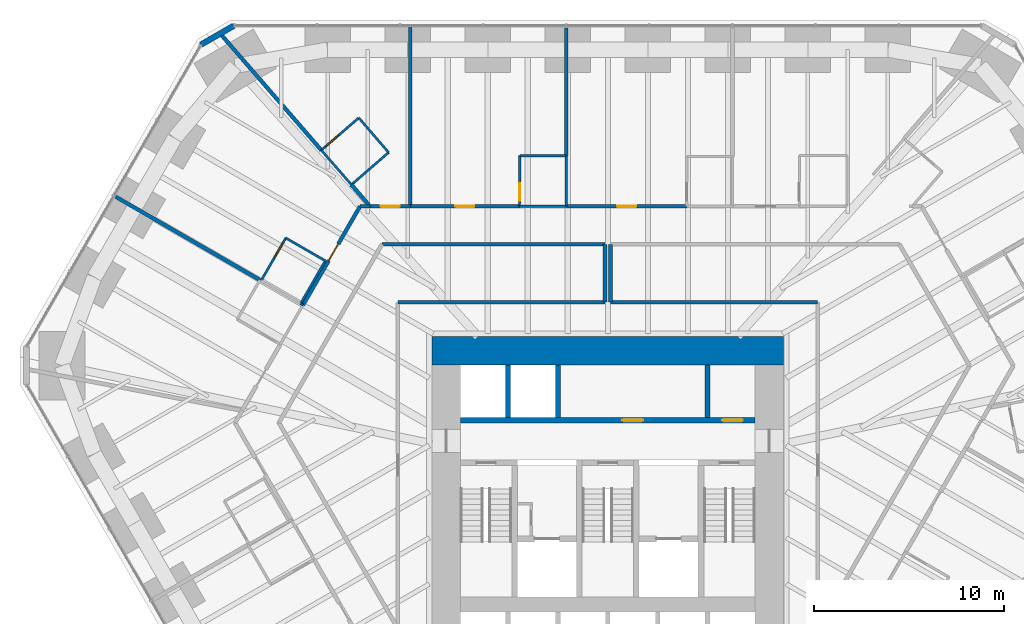
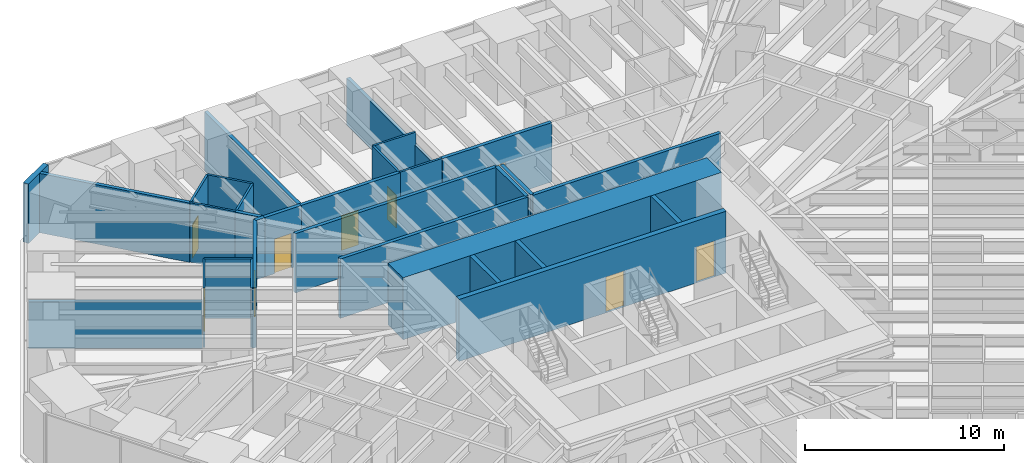
# One storey, part 14 of 17: 33 walls, 9 doors, 9 openings.
"""IFC4 building model written with IfcOpenShell, lengths in metres."""

import ifcopenshell
import ifcopenshell.guid

model = None  # the IFC model being written
_history = None  # IfcOwnerHistory: only IFC2X3 demands one
_inside = {}  # id of a spatial element -> (the spatial element, [elements in it])
_under = {}  # id of a project, library or spatial element -> (it, [spatial elements below it])
_declared = {}  # id of a project -> (the project, [libraries it declares])
_typed = {}  # id of a type object -> (the type object, [elements of that type])
_made_of = {}  # id of a material, layer set ... -> (it, [elements and type objects made of it])


def new_model(schema):
    """Start an empty IFC model of exactly this schema.

    Asked for "IFC4X3", IfcOpenShell would pick the latest addendum, in which some entities
    have other attributes; the version numbers below select the first issue.
    IFC2X3 requires an IfcOwnerHistory on every rooted entity: one is made here for all.
    """
    global model, _history
    if schema == "IFC4X3":
        model = ifcopenshell.file(schema_version=(4, 3, 0, 0))
    else:
        model = ifcopenshell.file(schema=schema)
    _inside.clear()
    _under.clear()
    _declared.clear()
    _typed.clear()
    _made_of.clear()
    _history = None
    if model.schema == "IFC2X3":
        org = make("IfcOrganization", Name="unknown")
        user = make(
            "IfcPersonAndOrganization",
            ThePerson=make("IfcPerson", FamilyName="unknown"),
            TheOrganization=org,
        )
        app = make(
            "IfcApplication",
            ApplicationDeveloper=org,
            Version="unknown",
            ApplicationFullName="unknown",
            ApplicationIdentifier="unknown",
        )
        _history = make(
            "IfcOwnerHistory",
            OwningUser=user,
            OwningApplication=app,
            ChangeAction="ADDED",
            CreationDate=0,
        )
    return model


def make(cls, **values):
    """One entity of the class cls with the attributes given. An attribute that is None is left unset."""
    return model.create_entity(
        cls, **{name: value for name, value in values.items() if value is not None}
    )


def rooted(cls, **values):
    """An entity with a GlobalId (a new one), such as an element, a storey or a relation."""
    return make(cls, GlobalId=ifcopenshell.guid.new(), OwnerHistory=_history, **values)


def si_unit(unit_type, name, prefix=None):
    """IfcSIUnit, for example si_unit("LENGTHUNIT", "METRE", prefix="MILLI")."""
    return make("IfcSIUnit", UnitType=unit_type, Prefix=prefix, Name=name)


def assignment(units):
    """IfcUnitAssignment: the units of a project."""
    return None if units is None else make("IfcUnitAssignment", Units=units)


def point(xyz):
    """IfcCartesianPoint."""
    return None if xyz is None else make("IfcCartesianPoint", Coordinates=xyz)


def direction(xyz):
    """IfcDirection."""
    return None if xyz is None else make("IfcDirection", DirectionRatios=xyz)


def frame(location, z_axis=None, x_axis=None):
    """IfcAxis2Placement3D, a coordinate frame: its origin and axes. An axis left out is left unset."""
    return make(
        "IfcAxis2Placement3D",
        Location=point(location),
        Axis=direction(z_axis),
        RefDirection=direction(x_axis),
    )


def frame_2d(location, x_axis=None):
    """IfcAxis2Placement2D, a coordinate frame in the plane: its origin and x axis."""
    return make(
        "IfcAxis2Placement2D", Location=point(location), RefDirection=direction(x_axis)
    )


def origin():
    """The frame at (0, 0, 0) with its axes left unset."""
    return frame((0.0, 0.0, 0.0))


def place(relative_to, where):
    """IfcLocalPlacement: puts the frame where relative to a parent placement (None: the world)."""
    return make(
        "IfcLocalPlacement", PlacementRelTo=relative_to, RelativePlacement=where
    )


def context(
    kind, dimensions, precision=None, world=None, true_north=None, identifier=None
):
    """IfcGeometricRepresentationContext, for example the 3D "Model" context."""
    return make(
        "IfcGeometricRepresentationContext",
        ContextIdentifier=identifier,
        ContextType=kind,
        CoordinateSpaceDimension=dimensions,
        Precision=precision,
        WorldCoordinateSystem=world,
        TrueNorth=true_north,
    )


def subcontext(parent, identifier, kind, view, scale=None):
    """IfcGeometricRepresentationSubContext, for example "Body" below "Model"."""
    return make(
        "IfcGeometricRepresentationSubContext",
        ContextIdentifier=identifier,
        ContextType=kind,
        ParentContext=parent,
        TargetScale=scale,
        TargetView=view,
    )


def project(units=None, contexts=None):
    """IfcProject with its units and contexts."""
    return rooted(
        "IfcProject",
        Name="project",
        RepresentationContexts=contexts,
        UnitsInContext=assignment(units),
    )


def spatial(cls, under=None, at=None, **own):
    """A site, building, storey or space (cls), placed at a placement, below another one or the project."""
    s = rooted(cls, ObjectPlacement=at, **own)
    if under is not None:
        _under.setdefault(under.id(), (under, []))[1].append(s)
    return s


def profile(cls, at=None, kind="AREA", **sizes):
    """A parametric profile (cls). Its sizes go by their IFC names, for example OverallWidth=200.0."""
    return make(cls, ProfileType=kind, Position=at, **sizes)


def rectangle(**sizes):
    """IfcRectangleProfileDef."""
    return profile("IfcRectangleProfileDef", **sizes)


def extrude(swept, where, along, depth):
    """IfcExtrudedAreaSolid: the profile swept, set in the frame where, extruded along a direction by depth."""
    return make(
        "IfcExtrudedAreaSolid",
        SweptArea=swept,
        Position=where,
        ExtrudedDirection=direction(along),
        Depth=depth,
    )


def shape(context_of_items, identifier, shape_type, items):
    """IfcShapeRepresentation: the items that make up one representation, for example the "Body"."""
    return make(
        "IfcShapeRepresentation",
        ContextOfItems=context_of_items,
        RepresentationIdentifier=identifier,
        RepresentationType=shape_type,
        Items=items,
    )


def material(Name=None, Category=None):
    """IfcMaterial."""
    return make("IfcMaterial", Name=Name, Category=Category)


def layer(
    of_material, thickness, ventilated=None, Name=None, Category=None, Priority=None
):
    """IfcMaterialLayer: one layer of a wall or slab, of a material (None: an air gap)."""
    return make(
        "IfcMaterialLayer",
        Material=of_material,
        LayerThickness=thickness,
        IsVentilated=ventilated,
        Name=Name,
        Category=Category,
        Priority=Priority,
    )


def layer_set(layers, Name=None):
    """IfcMaterialLayerSet."""
    return make("IfcMaterialLayerSet", MaterialLayers=layers, LayerSetName=Name)


def made_of(thing, what):
    """Note that an element or type object is made of a material, layer set ...; save() writes the relation."""
    if what is not None:
        _made_of.setdefault(what.id(), (what, []))[1].append(thing)
    return thing


def type_object(cls, material=None, **own):
    """A type object (cls), such as IfcWallType, which elements share."""
    return made_of(rooted(cls, **own), material)


def element(
    cls,
    number,
    at=None,
    inside=None,
    cuts=None,
    type_object=None,
    material=None,
    context=None,
    identifier="Body",
    shape_type=None,
    held_by="IfcProductDefinitionShape",
    body=None,
    shapes=None,
    **own,
):
    """One element of the class cls, such as IfcWall. Its Tag is "e" and its number.

    at: its placement. inside: the storey or other place that contains it. cuts: it is an
    opening in that element (IfcRelVoidsElement). A single representation is given by context,
    identifier, shape_type and body (its items); several are given by shapes. held_by: the class
    of the entity that holds the representations. save() writes the other relations.
    """
    e = rooted(cls, Tag="e%d" % number, ObjectPlacement=at, **own)
    if body is not None:
        shapes = [shape(context, identifier, shape_type, body)]
    if shapes is not None:
        e.Representation = make(held_by, Representations=shapes)
    if inside is not None:
        _inside.setdefault(inside.id(), (inside, []))[1].append(e)
    if cuts is not None:
        rooted(
            "IfcRelVoidsElement", RelatingBuildingElement=cuts, RelatedOpeningElement=e
        )
    if type_object is not None:
        _typed.setdefault(type_object.id(), (type_object, []))[1].append(e)
    return made_of(e, material)


def fill(opening, filler):
    """IfcRelFillsElement: the door or window that sits in an opening."""
    return rooted(
        "IfcRelFillsElement",
        RelatingOpeningElement=opening,
        RelatedBuildingElement=filler,
    )


def aggregate(whole, parts):
    """IfcRelAggregates: a whole, such as a stair, and the parts it consists of."""
    return rooted("IfcRelAggregates", RelatingObject=whole, RelatedObjects=parts)


def save(model, path):
    """Write the relations noted so far, then the file.

    IfcRelAggregates (storeys below a building ...), IfcRelContainedInSpatialStructure (elements
    in a storey), IfcRelDefinesByType, IfcRelAssociatesMaterial and IfcRelDeclares: one each for
    every whole, place, type object, material and project.
    """
    for whole, parts in _under.values():
        aggregate(whole, parts)
    for where, things in _inside.values():
        rooted(
            "IfcRelContainedInSpatialStructure",
            RelatedElements=things,
            RelatingStructure=where,
        )
    for kind, things in _typed.values():
        rooted("IfcRelDefinesByType", RelatedObjects=things, RelatingType=kind)
    for what, things in _made_of.values():
        rooted("IfcRelAssociatesMaterial", RelatedObjects=things, RelatingMaterial=what)
    for by, libraries in _declared.values():
        rooted("IfcRelDeclares", RelatingContext=by, RelatedDefinitions=libraries)
    model.write(path)


model = new_model("IFC4")

# Units and contexts
model_context = context("Model", 3, precision=1e-05, world=origin(), true_north=direction((0.0, 1.0)))
body_context = subcontext(model_context, "Body", "Model", "MODEL_VIEW")
ifc_project = project(units=[si_unit("LENGTHUNIT", "METRE"), si_unit("AREAUNIT", "SQUARE_METRE"), si_unit("VOLUMEUNIT", "CUBIC_METRE"), si_unit("PLANEANGLEUNIT", "RADIAN"), si_unit("MASSUNIT", "GRAM", prefix="KILO")], contexts=[model_context])

# Site, building, storey
site_placement = place(None, origin())
site = spatial("IfcSite", under=ifc_project, at=site_placement, CompositionType="ELEMENT")
building_placement = place(site_placement, origin())
building = spatial("IfcBuilding", under=site, at=building_placement, Name="Sandreach Pilgrim Tower", CompositionType="ELEMENT")
storey_placement = place(building_placement, frame((0.0, 0.0, 34.39990234375)))
storey = spatial("IfcBuildingStorey", under=building, at=storey_placement, Name="L07", CompositionType="ELEMENT", Elevation=34.39990234375)

# Wall, opening, door
ifc_material_1 = material(Name="Moisture-resistant gypsum board on steel studs", Category="steel")
ifc_layer_1 = layer(ifc_material_1, 0.1201171875)
ifc_layer_set_1 = layer_set([ifc_layer_1], Name="Bathroom partition 120")
wall_type_1 = type_object("IfcWallType", Name="Bathroom partition 120", PredefinedType="PARTITIONING", material=ifc_layer_set_1)
wall_1_placement = place(storey_placement, frame((-16.93994140625, 12.780029296875, 0.0), z_axis=(0.0, 0.0, 1.0), x_axis=(-0.500291685314, -0.865856933682, 0.0)))
wall_1 = element("IfcWall", 1, at=wall_1_placement, inside=storey, type_object=wall_type_1, Name="Bathroom partition L07-019", PredefinedType="PARTITIONING", context=body_context, shape_type="SweptSolid", body=[
    extrude(rectangle(XDim=2.5986328125, YDim=0.1201171875, at=frame_2d((1.29931640625, 0.0))), origin(), (0.0, 0.0, 1.0), 3.64013671875),
])
opening_1_placement = place(wall_1_placement, frame((0.300048828125, 0.0, 0.0)))
opening_1 = element("IfcOpeningElement", 2, at=opening_1_placement, cuts=wall_1, Name="Opening D09-19B", PredefinedType="OPENING", context=body_context, shape_type="SweptSolid", body=[
    extrude(rectangle(XDim=0.89990234375, YDim=2.030029296875, at=frame_2d((0.449951171875, 1.01513671875))), frame((0.0, 0.06005859375, 0.0), z_axis=(0.0, -1.0, 0.0), x_axis=(1.0, 0.0, 0.0)), (0.0, 0.0, 1.0), 0.1201171875),
])
ifc_material_2 = material(Name="Timber door, steel frame", Category="steel")
door_type_1 = type_object("IfcDoorType", Name="Bathroom door", OperationType="SINGLE_SWING_LEFT", PredefinedType="DOOR", material=ifc_material_2)
door_1_placement = place(opening_1_placement, origin())
door_1 = element("IfcDoor", 3, at=door_1_placement, inside=storey, type_object=door_type_1, Name="Door 0719B", OperationType="SINGLE_SWING_LEFT", OverallHeight=2.030029296875, OverallWidth=0.89990234375, PredefinedType="DOOR", context=body_context, shape_type="SweptSolid", body=[
    extrude(rectangle(XDim=0.89990234375, YDim=2.030029296875, at=frame_2d((0.449951171875, 1.01513671875))), frame((0.0, 0.02490234375, 0.0), z_axis=(0.0, -1.0, 0.0), x_axis=(1.0, 0.0, 0.0)), (0.0, 0.0, 1.0), 0.050048828125),
])
fill(opening_1, door_1)

# Walls
wall_2_placement = place(storey_placement, frame((-16.159912109375, 9.330078125, 0.0), z_axis=(0.0, 0.0, 1.0), x_axis=(0.880098986228, -0.47479024257, 0.0)))
element("IfcWall", 4, at=wall_2_placement, inside=storey, type_object=wall_type_1, Name="Bathroom partition L07-023", PredefinedType="PARTITIONING", context=body_context, shape_type="SweptSolid", body=[
    extrude(rectangle(XDim=0.1474609375, YDim=0.1201171875, at=frame_2d((0.07373046875, 0.0))), origin(), (0.0, 0.0, 1.0), 3.64013671875),
])
wall_3_placement = place(storey_placement, frame((-16.159912109375, 9.330078125, 0.0), z_axis=(0.0, 0.0, 1.0), x_axis=(0.500291685314, 0.865856933682, 0.0)))
element("IfcWall", 5, at=wall_3_placement, inside=storey, type_object=wall_type_1, Name="Bathroom partition L07-024", PredefinedType="PARTITIONING", context=body_context, shape_type="SweptSolid", body=[
    extrude(rectangle(XDim=2.5986328125, YDim=0.1201171875, at=frame_2d((1.29931640625, 0.0))), origin(), (0.0, 0.0, 1.0), 3.64013671875),
])
wall_4_placement = place(storey_placement, frame((-15.070068359375, 17.39990234375, 0.0), z_axis=(0.0, 0.0, 1.0), x_axis=(0.657083550002, -0.753817755374, 0.0)))
element("IfcWall", 6, at=wall_4_placement, inside=storey, type_object=wall_type_1, Name="Bathroom partition L07-028", PredefinedType="PARTITIONING", context=body_context, shape_type="SweptSolid", body=[
    extrude(rectangle(XDim=2.41015625, YDim=0.1201171875, at=frame_2d((1.205078125, 0.0))), origin(), (0.0, 0.0, 1.0), 3.64013671875),
])
wall_5_placement = place(storey_placement, frame((-14.860107421875, 11.580078125, 0.0), z_axis=(0.0, 0.0, 1.0), x_axis=(-0.866177122335, 0.499737123639, 0.0)))
element("IfcWall", 7, at=wall_5_placement, inside=storey, type_object=wall_type_1, Name="Bathroom partition L07-029", PredefinedType="PARTITIONING", context=body_context, shape_type="SweptSolid", body=[
    extrude(rectangle(XDim=2.401123046875, YDim=0.1201171875, at=frame_2d((1.20068359375, 0.0))), origin(), (0.0, 0.0, 1.0), 3.64013671875),
])
wall_6_placement = place(storey_placement, frame((-13.489990234375, 15.580078125, 0.0), z_axis=(0.0, 0.0, 1.0), x_axis=(0.755437535555, 0.655220672655, 0.0)))
element("IfcWall", 8, at=wall_6_placement, inside=storey, type_object=wall_type_1, Name="Bathroom partition L07-030", PredefinedType="PARTITIONING", context=body_context, shape_type="SweptSolid", body=[
    extrude(rectangle(XDim=2.594482421875, YDim=0.1201171875, at=frame_2d((1.29736328125, 0.0))), origin(), (0.0, 0.0, 1.0), 3.64013671875),
])

# Wall, opening, door
wall_7_placement = place(storey_placement, frame((-13.10009765625, 19.10009765625, 0.0), z_axis=(0.0, 0.0, 1.0), x_axis=(-0.757040252764, -0.65336823897, 0.0)))
wall_7 = element("IfcWall", 9, at=wall_7_placement, inside=storey, type_object=wall_type_1, Name="Bathroom partition L07-032", PredefinedType="PARTITIONING", context=body_context, shape_type="SweptSolid", body=[
    extrude(rectangle(XDim=2.602294921875, YDim=0.1201171875, at=frame_2d((1.30126953125, 0.0))), origin(), (0.0, 0.0, 1.0), 3.64013671875),
])
opening_2_placement = place(wall_7_placement, frame((1.402099609375, 0.0, 0.0)))
opening_2 = element("IfcOpeningElement", 10, at=opening_2_placement, cuts=wall_7, Name="Opening D09-01B", PredefinedType="OPENING", context=body_context, shape_type="SweptSolid", body=[
    extrude(rectangle(XDim=0.89990234375, YDim=2.030029296875, at=frame_2d((0.449951171875, 1.01513671875))), frame((0.0, 0.06005859375, 0.0), z_axis=(0.0, -1.0, 0.0), x_axis=(1.0, 0.0, 0.0)), (0.0, 0.0, 1.0), 0.1201171875),
])
door_2_placement = place(opening_2_placement, origin())
door_2 = element("IfcDoor", 11, at=door_2_placement, inside=storey, type_object=door_type_1, Name="Door 0701B", OperationType="SINGLE_SWING_RIGHT", OverallHeight=2.030029296875, OverallWidth=0.89990234375, PredefinedType="DOOR", context=body_context, shape_type="SweptSolid", body=[
    extrude(rectangle(XDim=0.89990234375, YDim=2.030029296875, at=frame_2d((0.449951171875, 1.01513671875))), frame((0.0, 0.02490234375, 0.0), z_axis=(0.0, -1.0, 0.0), x_axis=(1.0, 0.0, 0.0)), (0.0, 0.0, 1.0), 0.050048828125),
])
fill(opening_2, door_2)

# Wall
wall_8_placement = place(storey_placement, frame((-11.530029296875, 17.280029296875, 0.0), z_axis=(0.0, 0.0, 1.0), x_axis=(-0.653188728136, 0.757195143563, 0.0)))
element("IfcWall", 12, at=wall_8_placement, inside=storey, type_object=wall_type_1, Name="Bathroom partition L07-036", PredefinedType="PARTITIONING", context=body_context, shape_type="SweptSolid", body=[
    extrude(rectangle(XDim=2.40380859375, YDim=0.1201171875, at=frame_2d((1.201904296875, 0.0))), origin(), (0.0, 0.0, 1.0), 3.64013671875),
])

# Wall, opening, door
wall_9_placement = place(storey_placement, frame((-4.6298828125, 17.110107421875, 0.0), z_axis=(0.0, 0.0, 1.0), x_axis=(-0.003762822113, -0.99999292056, 0.0)))
wall_9 = element("IfcWall", 13, at=wall_9_placement, inside=storey, type_object=wall_type_1, Name="Bathroom partition L07-051", PredefinedType="PARTITIONING", context=body_context, shape_type="SweptSolid", body=[
    extrude(rectangle(XDim=2.66015625, YDim=0.1201171875, at=frame_2d((1.330078125, 0.0))), origin(), (0.0, 0.0, 1.0), 3.64013671875),
])
opening_3_placement = place(wall_9_placement, frame((1.4599609375, 0.0, 0.0)))
opening_3 = element("IfcOpeningElement", 14, at=opening_3_placement, cuts=wall_9, Name="Opening D09-02B", PredefinedType="OPENING", context=body_context, shape_type="SweptSolid", body=[
    extrude(rectangle(XDim=0.89990234375, YDim=2.030029296875, at=frame_2d((0.449951171875, 1.01513671875))), frame((0.0, 0.06005859375, 0.0), z_axis=(0.0, -1.0, 0.0), x_axis=(1.0, 0.0, 0.0)), (0.0, 0.0, 1.0), 0.1201171875),
])
door_3_placement = place(opening_3_placement, origin())
door_3 = element("IfcDoor", 15, at=door_3_placement, inside=storey, type_object=door_type_1, Name="Door 0702B", OperationType="SINGLE_SWING_RIGHT", OverallHeight=2.030029296875, OverallWidth=0.89990234375, PredefinedType="DOOR", context=body_context, shape_type="SweptSolid", body=[
    extrude(rectangle(XDim=0.89990234375, YDim=2.030029296875, at=frame_2d((0.449951171875, 1.01513671875))), frame((0.0, 0.02490234375, 0.0), z_axis=(0.0, -1.0, 0.0), x_axis=(1.0, 0.0, 0.0)), (0.0, 0.0, 1.0), 0.050048828125),
])
fill(opening_3, door_3)

# Walls
wall_10_placement = place(storey_placement, frame((-2.18994140625, 14.449951171875, 0.0), z_axis=(0.0, 0.0, 1.0), x_axis=(-1.0, 0.0, 0.0)))
element("IfcWall", 16, at=wall_10_placement, inside=storey, type_object=wall_type_1, Name="Bathroom partition L07-057", PredefinedType="PARTITIONING", context=body_context, shape_type="SweptSolid", body=[
    extrude(rectangle(XDim=2.449951171875, YDim=0.1201171875, at=frame_2d((1.22509765625, 0.0))), origin(), (0.0, 0.0, 1.0), 3.64013671875),
])
wall_11_placement = place(storey_placement, frame((-2.18994140625, 17.10009765625, 0.0), z_axis=(0.0, 0.0, 1.0), x_axis=(-0.999991585011, 0.004102426955, 0.0)))
element("IfcWall", 17, at=wall_11_placement, inside=storey, type_object=wall_type_1, Name="Bathroom partition L07-058", PredefinedType="PARTITIONING", context=body_context, shape_type="SweptSolid", body=[
    extrude(rectangle(XDim=2.43994140625, YDim=0.1201171875, at=frame_2d((1.219970703125, 0.0))), origin(), (0.0, 0.0, 1.0), 3.64013671875),
])
wall_12_placement = place(storey_placement, frame((-2.18994140625, 17.10009765625, 0.0), z_axis=(0.0, 0.0, 1.0), x_axis=(0.0, -1.0, 0.0)))
element("IfcWall", 18, at=wall_12_placement, inside=storey, type_object=wall_type_1, Name="Bathroom partition L07-059", PredefinedType="PARTITIONING", context=body_context, shape_type="SweptSolid", body=[
    extrude(rectangle(XDim=2.650146484375, YDim=0.1201171875, at=frame_2d((1.3251953125, 0.0))), origin(), (0.0, 0.0, 1.0), 2.878173828125),
])

# Wall, openings, doors
ifc_material_3 = material(Name="Concrete 10000 psi", Category="concrete")
ifc_layer_2 = layer(ifc_material_3, 0.300048828125)
ifc_layer_set_2 = layer_set([ifc_layer_2], Name="Core inner wall 300")
wall_type_2 = type_object("IfcWallType", Name="Core inner wall 300", PredefinedType="SHEAR", material=ifc_layer_set_2)
wall_13_placement = place(storey_placement, frame((-7.75, 3.199951171875, 0.0), z_axis=(0.0, 0.0, 1.0), x_axis=(1.0, 0.0, 0.0)))
wall_13 = element("IfcWall", 19, at=wall_13_placement, inside=storey, type_object=wall_type_2, Name="Core wall PN L07", PredefinedType="SHEAR", context=body_context, shape_type="SweptSolid", body=[
    extrude(rectangle(XDim=15.5, YDim=0.300048828125, at=frame_2d((7.75, 0.0))), origin(), (0.0, 0.0, 1.0), 3.800048828125),
])
opening_4_placement = place(wall_13_placement, frame((8.512451171875, 0.0, 0.0)))
opening_4 = element("IfcOpeningElement", 20, at=opening_4_placement, cuts=wall_13, Name="Opening D11L", PredefinedType="OPENING", context=body_context, shape_type="SweptSolid", body=[
    extrude(rectangle(XDim=1.10009765625, YDim=2.199951171875, at=frame_2d((0.550048828125, 1.10009765625))), frame((0.0, 0.14990234375, 0.0), z_axis=(0.0, -1.0, 0.0), x_axis=(1.0, 0.0, 0.0)), (0.0, 0.0, 1.0), 0.300048828125),
])
opening_5_placement = place(wall_13_placement, frame((13.762451171875, 0.0, 0.0)))
opening_5 = element("IfcOpeningElement", 21, at=opening_5_placement, cuts=wall_13, Name="Opening D11L", PredefinedType="OPENING", context=body_context, shape_type="SweptSolid", body=[
    extrude(rectangle(XDim=1.10009765625, YDim=2.199951171875, at=frame_2d((0.550048828125, 1.10009765625))), frame((0.0, 0.14990234375, 0.0), z_axis=(0.0, -1.0, 0.0), x_axis=(1.0, 0.0, 0.0)), (0.0, 0.0, 1.0), 0.300048828125),
])
ifc_material_4 = material(Name="Steel door and frame, smoke seals", Category="steel")
door_type_2 = type_object("IfcDoorType", Name="Core room door", OperationType="SINGLE_SWING_LEFT", PredefinedType="DOOR", material=ifc_material_4)
door_4_placement = place(opening_4_placement, origin())
door_4 = element("IfcDoor", 22, at=door_4_placement, inside=storey, type_object=door_type_2, Name="Door housekeeping store 07K1", OperationType="SINGLE_SWING_RIGHT", OverallHeight=2.199951171875, OverallWidth=1.10009765625, PredefinedType="DOOR", context=body_context, shape_type="SweptSolid", body=[
    extrude(rectangle(XDim=1.10009765625, YDim=2.199951171875, at=frame_2d((0.550048828125, 1.10009765625))), frame((0.0, 0.02490234375, 0.0), z_axis=(0.0, -1.0, 0.0), x_axis=(1.0, 0.0, 0.0)), (0.0, 0.0, 1.0), 0.050048828125),
])
fill(opening_4, door_4)
door_5_placement = place(opening_5_placement, origin())
door_5 = element("IfcDoor", 23, at=door_5_placement, inside=storey, type_object=door_type_2, Name="Door it room 07K2", OperationType="SINGLE_SWING_RIGHT", OverallHeight=2.199951171875, OverallWidth=1.10009765625, PredefinedType="DOOR", context=body_context, shape_type="SweptSolid", body=[
    extrude(rectangle(XDim=1.10009765625, YDim=2.199951171875, at=frame_2d((0.550048828125, 1.10009765625))), frame((0.0, 0.02490234375, 0.0), z_axis=(0.0, -1.0, 0.0), x_axis=(1.0, 0.0, 0.0)), (0.0, 0.0, 1.0), 0.050048828125),
])
fill(opening_5, door_5)

# Wall
ifc_material_5 = material(Name="Concrete 10000 psi", Category="concrete")
ifc_layer_3 = layer(ifc_material_5, 1.5)
ifc_layer_set_3 = layer_set([ifc_layer_3], Name="Core wall 1500")
wall_type_3 = type_object("IfcWallType", Name="Core wall 1500", PredefinedType="SHEAR", material=ifc_layer_set_3)
wall_14_placement = place(storey_placement, frame((-9.25, 6.85009765625, 0.0), z_axis=(0.0, 0.0, 1.0), x_axis=(1.0, 0.0, 0.0)))
element("IfcWall", 24, at=wall_14_placement, inside=storey, type_object=wall_type_3, Name="Core wall N L07", PredefinedType="SHEAR", context=body_context, shape_type="SweptSolid", body=[
    extrude(rectangle(XDim=18.5, YDim=1.5, at=frame_2d((9.25, 0.0))), origin(), (0.0, 0.0, 1.0), 3.800048828125),
])

# Wall, opening, door
ifc_material_6 = material(Name="Gypsum board on steel studs, two layers each side", Category="steel")
ifc_layer_4 = layer(ifc_material_6, 0.199951171875)
ifc_layer_set_4 = layer_set([ifc_layer_4], Name="Corridor wall 200")
wall_type_4 = type_object("IfcWallType", Name="Corridor wall 200", PredefinedType="PARTITIONING", material=ifc_layer_set_4)
wall_15_placement = place(storey_placement, frame((-16.031494140625, 9.260986328125, 0.0), z_axis=(0.0, 0.0, 1.0), x_axis=(0.500702302597, 0.865619549325, 0.0)))
wall_15 = element("IfcWall", 25, at=wall_15_placement, inside=storey, type_object=wall_type_4, Name="Corridor wall L07-025", PredefinedType="PARTITIONING", context=body_context, shape_type="SweptSolid", body=[
    extrude(rectangle(XDim=5.99462890625, YDim=0.199951171875, at=frame_2d((2.997314453125, 0.0))), origin(), (0.0, 0.0, 1.0), 3.64013671875),
])
opening_6_placement = place(wall_15_placement, frame((2.697265625, 0.0, 0.0)))
opening_6 = element("IfcOpeningElement", 26, at=opening_6_placement, cuts=wall_15, Name="Opening D10-19", PredefinedType="OPENING", context=body_context, shape_type="SweptSolid", body=[
    extrude(rectangle(XDim=1.0, YDim=2.1298828125, at=frame_2d((0.5, 1.06494140625))), frame((0.0, 0.10009765625, 0.0), z_axis=(0.0, -1.0, 0.0), x_axis=(1.0, 0.0, 0.0)), (0.0, 0.0, 1.0), 0.199951171875),
])
ifc_material_7 = material(Name="Steel door and frame", Category="steel")
door_type_3 = type_object("IfcDoorType", Name="Guest room entry door", OperationType="SINGLE_SWING_LEFT", PredefinedType="DOOR", material=ifc_material_7)
door_6_placement = place(opening_6_placement, origin())
door_6 = element("IfcDoor", 27, at=door_6_placement, inside=storey, type_object=door_type_3, Name="Door 0719", OperationType="SINGLE_SWING_RIGHT", OverallHeight=2.1298828125, OverallWidth=1.0, PredefinedType="DOOR", context=body_context, shape_type="SweptSolid", body=[
    extrude(rectangle(XDim=1.0, YDim=2.1298828125, at=frame_2d((0.5, 1.06494140625))), frame((0.0, 0.02490234375, 0.0), z_axis=(0.0, -1.0, 0.0), x_axis=(1.0, 0.0, 0.0)), (0.0, 0.0, 1.0), 0.050048828125),
])
fill(opening_6, door_6)

# Walls
wall_16_placement = place(storey_placement, frame((-12.510009765625, 14.449951171875, 0.0), z_axis=(0.0, 0.0, 1.0), x_axis=(-1.0, 0.0, 0.0)))
element("IfcWall", 28, at=wall_16_placement, inside=storey, type_object=wall_type_4, Name="Corridor wall L07-033", PredefinedType="PARTITIONING", context=body_context, shape_type="SweptSolid", body=[
    extrude(rectangle(XDim=0.52001953125, YDim=0.199951171875, at=frame_2d((0.260009765625, 0.0))), origin(), (0.0, 0.0, 1.0), 3.64013671875),
])
wall_17_placement = place(storey_placement, frame((-11.8798828125, 12.449951171875, 0.0), z_axis=(0.0, 0.0, 1.0), x_axis=(1.0, 0.0, 0.0)))
element("IfcWall", 29, at=wall_17_placement, inside=storey, type_object=wall_type_4, Name="Corridor wall L07-035", PredefinedType="PARTITIONING", context=body_context, shape_type="SweptSolid", body=[
    extrude(rectangle(XDim=11.72998046875, YDim=0.199951171875, at=frame_2d((5.864990234375, 0.0))), origin(), (0.0, 0.0, 1.0), 3.64013671875),
])

# Wall, opening, door
wall_18_placement = place(storey_placement, frame((-10.389892578125, 14.449951171875, 0.0), z_axis=(0.0, 0.0, 1.0), x_axis=(-1.0, 0.0, 0.0)))
wall_18 = element("IfcWall", 30, at=wall_18_placement, inside=storey, type_object=wall_type_4, Name="Corridor wall L07-039", PredefinedType="PARTITIONING", context=body_context, shape_type="SweptSolid", body=[
    extrude(rectangle(XDim=2.1201171875, YDim=0.199951171875, at=frame_2d((1.06005859375, 0.0))), origin(), (0.0, 0.0, 1.0), 3.64013671875),
])
opening_7_placement = place(wall_18_placement, frame((0.56005859375, 0.0, 0.0)))
opening_7 = element("IfcOpeningElement", 31, at=opening_7_placement, cuts=wall_18, Name="Opening D10-01", PredefinedType="OPENING", context=body_context, shape_type="SweptSolid", body=[
    extrude(rectangle(XDim=1.0, YDim=2.1298828125, at=frame_2d((0.5, 1.06494140625))), frame((0.0, 0.10009765625, 0.0), z_axis=(0.0, -1.0, 0.0), x_axis=(1.0, 0.0, 0.0)), (0.0, 0.0, 1.0), 0.199951171875),
])
door_7_placement = place(opening_7_placement, origin())
door_7 = element("IfcDoor", 32, at=door_7_placement, inside=storey, type_object=door_type_3, Name="Door 0701", OperationType="SINGLE_SWING_LEFT", OverallHeight=2.1298828125, OverallWidth=1.0, PredefinedType="DOOR", context=body_context, shape_type="SweptSolid", body=[
    extrude(rectangle(XDim=1.0, YDim=2.1298828125, at=frame_2d((0.5, 1.06494140625))), frame((0.0, 0.02490234375, 0.0), z_axis=(0.0, -1.0, 0.0), x_axis=(1.0, 0.0, 0.0)), (0.0, 0.0, 1.0), 0.050048828125),
])
fill(opening_7, door_7)

wall_19_placement = place(storey_placement, frame((-4.639892578125, 14.449951171875, 0.0), z_axis=(0.0, 0.0, 1.0), x_axis=(-1.0, 0.0, 0.0)))
wall_19 = element("IfcWall", 33, at=wall_19_placement, inside=storey, type_object=wall_type_4, Name="Corridor wall L07-050", PredefinedType="PARTITIONING", context=body_context, shape_type="SweptSolid", body=[
    extrude(rectangle(XDim=5.75, YDim=0.199951171875, at=frame_2d((2.875, 0.0))), origin(), (0.0, 0.0, 1.0), 3.64013671875),
])
opening_8_placement = place(wall_19_placement, frame((2.375, 0.0, 0.0)))
opening_8 = element("IfcOpeningElement", 34, at=opening_8_placement, cuts=wall_19, Name="Opening D10-02", PredefinedType="OPENING", context=body_context, shape_type="SweptSolid", body=[
    extrude(rectangle(XDim=1.0, YDim=2.1298828125, at=frame_2d((0.5, 1.06494140625))), frame((0.0, 0.10009765625, 0.0), z_axis=(0.0, -1.0, 0.0), x_axis=(1.0, 0.0, 0.0)), (0.0, 0.0, 1.0), 0.199951171875),
])
door_8_placement = place(opening_8_placement, origin())
door_8 = element("IfcDoor", 35, at=door_8_placement, inside=storey, type_object=door_type_3, Name="Door 0702", OperationType="SINGLE_SWING_LEFT", OverallHeight=2.1298828125, OverallWidth=1.0, PredefinedType="DOOR", context=body_context, shape_type="SweptSolid", body=[
    extrude(rectangle(XDim=1.0, YDim=2.1298828125, at=frame_2d((0.5, 1.06494140625))), frame((0.0, 0.02490234375, 0.0), z_axis=(0.0, -1.0, 0.0), x_axis=(1.0, 0.0, 0.0)), (0.0, 0.0, 1.0), 0.050048828125),
])
fill(opening_8, door_8)

# Walls
wall_20_placement = place(storey_placement, frame((-0.14990234375, 9.39990234375, 0.0), z_axis=(0.0, 0.0, 1.0), x_axis=(-1.0, 0.0, 0.0)))
element("IfcWall", 36, at=wall_20_placement, inside=storey, type_object=wall_type_4, Name="Corridor wall L07-061", PredefinedType="PARTITIONING", context=body_context, shape_type="SweptSolid", body=[
    extrude(rectangle(XDim=10.89013671875, YDim=0.199951171875, at=frame_2d((5.445068359375, 0.0))), origin(), (0.0, 0.0, 1.0), 3.64013671875),
])
wall_21_placement = place(storey_placement, frame((-0.14990234375, 12.43994140625, 0.0), z_axis=(0.0, 0.0, 1.0), x_axis=(0.0, -1.0, 0.0)))
element("IfcWall", 37, at=wall_21_placement, inside=storey, type_object=wall_type_4, Name="Corridor wall L07-062", PredefinedType="PARTITIONING", context=body_context, shape_type="SweptSolid", body=[
    extrude(rectangle(XDim=3.02490234375, YDim=0.199951171875, at=frame_2d((1.512451171875, 0.0))), origin(), (0.0, 0.0, 1.0), 3.64013671875),
])
wall_22_placement = place(storey_placement, frame((0.14990234375, 9.409912109375, 0.0), z_axis=(0.0, 0.0, 1.0), x_axis=(0.0, 1.0, 0.0)))
element("IfcWall", 38, at=wall_22_placement, inside=storey, type_object=wall_type_4, Name="Corridor wall L07-070", PredefinedType="PARTITIONING", context=body_context, shape_type="SweptSolid", body=[
    extrude(rectangle(XDim=3.030029296875, YDim=0.199951171875, at=frame_2d((1.51513671875, 0.0))), origin(), (0.0, 0.0, 1.0), 3.64013671875),
])

# Wall, opening, door
wall_23_placement = place(storey_placement, frame((4.159912109375, 14.449951171875, 0.0), z_axis=(0.0, 0.0, 1.0), x_axis=(-1.0, 0.0, 0.0)))
wall_23 = element("IfcWall", 39, at=wall_23_placement, inside=storey, type_object=wall_type_4, Name="Corridor wall L07-077", PredefinedType="PARTITIONING", context=body_context, shape_type="SweptSolid", body=[
    extrude(rectangle(XDim=6.349853515625, YDim=0.199951171875, at=frame_2d((3.1748046875, 0.0))), origin(), (0.0, 0.0, 1.0), 3.64013671875),
])
opening_9_placement = place(wall_23_placement, frame((2.675048828125, 0.0, 0.0)))
opening_9 = element("IfcOpeningElement", 40, at=opening_9_placement, cuts=wall_23, Name="Opening D10-03", PredefinedType="OPENING", context=body_context, shape_type="SweptSolid", body=[
    extrude(rectangle(XDim=1.0, YDim=2.1298828125, at=frame_2d((0.5, 1.06494140625))), frame((0.0, 0.10009765625, 0.0), z_axis=(0.0, -1.0, 0.0), x_axis=(1.0, 0.0, 0.0)), (0.0, 0.0, 1.0), 0.199951171875),
])
door_9_placement = place(opening_9_placement, origin())
door_9 = element("IfcDoor", 41, at=door_9_placement, inside=storey, type_object=door_type_3, Name="Door 0703", OperationType="SINGLE_SWING_LEFT", OverallHeight=2.1298828125, OverallWidth=1.0, PredefinedType="DOOR", context=body_context, shape_type="SweptSolid", body=[
    extrude(rectangle(XDim=1.0, YDim=2.1298828125, at=frame_2d((0.5, 1.06494140625))), frame((0.0, 0.02490234375, 0.0), z_axis=(0.0, -1.0, 0.0), x_axis=(1.0, 0.0, 0.0)), (0.0, 0.0, 1.0), 0.050048828125),
])
fill(opening_9, door_9)

# Walls
wall_24_placement = place(storey_placement, frame((11.0400390625, 9.39990234375, 0.0), z_axis=(0.0, 0.0, 1.0), x_axis=(-1.0, 0.0, 0.0)))
element("IfcWall", 42, at=wall_24_placement, inside=storey, type_object=wall_type_4, Name="Corridor wall L07-106", PredefinedType="PARTITIONING", context=body_context, shape_type="SweptSolid", body=[
    extrude(rectangle(XDim=10.89013671875, YDim=0.199951171875, at=frame_2d((5.445068359375, 0.0))), origin(), (0.0, 0.0, 1.0), 3.64013671875),
])
ifc_material_8 = material(Name="Double steel stud acoustic wall, gypsum board", Category="steel")
ifc_layer_5 = layer(ifc_material_8, 0.199951171875)
ifc_layer_set_5 = layer_set([ifc_layer_5], Name="Party wall 200")
wall_type_5 = type_object("IfcWallType", Name="Party wall 200", PredefinedType="PARTITIONING", material=ifc_layer_set_5)
wall_25_placement = place(storey_placement, frame((-25.885986328125, 14.949951171875, 0.0), z_axis=(0.0, 0.0, 1.0), x_axis=(0.866018495177, -0.500011965869, 0.0)))
element("IfcWall", 43, at=wall_25_placement, inside=storey, type_object=wall_type_5, Name="Party wall L07-002", PredefinedType="PARTITIONING", context=body_context, shape_type="SweptSolid", body=[
    extrude(rectangle(XDim=8.759521484375, YDim=0.199951171875, at=frame_2d((4.3798828125, 0.0))), origin(), (0.0, 0.0, 1.0), 2.8603515625),
])
wall_26_placement = place(storey_placement, frame((-20.400390625, 23.54736328125, 0.0), z_axis=(0.0, 0.0, 1.0), x_axis=(0.655107582677, -0.755535608108, 0.0)))
element("IfcWall", 44, at=wall_26_placement, inside=storey, type_object=wall_type_5, Name="Party wall L07-004", PredefinedType="PARTITIONING", context=body_context, shape_type="SweptSolid", body=[
    extrude(rectangle(XDim=8.136474609375, YDim=0.199951171875, at=frame_2d((4.068359375, 0.0))), origin(), (0.0, 0.0, 1.0), 3.64013671875),
])
wall_27_placement = place(storey_placement, frame((-13.486328125, 15.5830078125, 0.0), z_axis=(0.0, 0.0, 1.0), x_axis=(0.652755533609, -0.75756861956, 0.0)))
element("IfcWall", 45, at=wall_27_placement, inside=storey, type_object=wall_type_5, Name="Party wall L07-031", PredefinedType="PARTITIONING", context=body_context, shape_type="SweptSolid", body=[
    extrude(rectangle(XDim=1.390625, YDim=0.199951171875, at=frame_2d((0.6953125, 0.0))), origin(), (0.0, 0.0, 1.0), 3.64013671875),
])
wall_28_placement = place(storey_placement, frame((-10.389892578125, 23.919921875, 0.0), z_axis=(0.0, 0.0, 1.0), x_axis=(0.0, -1.0, 0.0)))
element("IfcWall", 46, at=wall_28_placement, inside=storey, type_object=wall_type_5, Name="Party wall L07-040", PredefinedType="PARTITIONING", context=body_context, shape_type="SweptSolid", body=[
    extrude(rectangle(XDim=9.4599609375, YDim=0.199951171875, at=frame_2d((4.72998046875, 0.0))), origin(), (0.0, 0.0, 1.0), 3.64013671875),
])
wall_29_placement = place(storey_placement, frame((-2.18994140625, 23.830078125, 0.0), z_axis=(0.0, 0.0, 1.0), x_axis=(0.0, -1.0, 0.0)))
element("IfcWall", 47, at=wall_29_placement, inside=storey, type_object=wall_type_5, Name="Party wall L07-060", PredefinedType="PARTITIONING", context=body_context, shape_type="SweptSolid", body=[
    extrude(rectangle(XDim=6.72998046875, YDim=0.199951171875, at=frame_2d((3.364990234375, 0.0))), origin(), (0.0, 0.0, 1.0), 2.878173828125),
])
ifc_material_9 = material(Name="Gypsum shaft wall on steel studs, two layers of shaft liner board", Category="steel")
ifc_layer_6 = layer(ifc_material_9, 0.25)
ifc_layer_set_6 = layer_set([ifc_layer_6], Name="Shaft partition 250")
wall_type_6 = type_object("IfcWallType", Name="Shaft partition 250", PredefinedType="PARTITIONING", material=ifc_layer_set_6)
for number, where, z_axis, x_axis, name in (
    (48, (-5.25, 3.35009765625, 0.0), (0.0, 0.0, 1.0), (0.0, 1.0, 0.0), "Shaft partition NS0 L07"),
    (49, (-2.625, 3.35009765625, 0.0), (0.0, 0.0, 1.0), (0.0, 1.0, 0.0), "Shaft partition NS1 L07"),
    (50, (5.25, 3.35009765625, 0.0), (0.0, 0.0, 1.0), (0.0, 1.0, 0.0), "Shaft partition NS4 L07"),
):
    element("IfcWall", number, at=place(storey_placement, frame(where, z_axis=z_axis, x_axis=x_axis)), inside=storey, type_object=wall_type_6, Name=name, PredefinedType="PARTITIONING", context=body_context, shape_type="SweptSolid", body=[
        extrude(rectangle(XDim=2.75, YDim=0.25, at=frame_2d((1.375, 0.0))), origin(), (0.0, 0.0, 1.0), 3.800048828125),
    ])
ifc_material_10 = material(Name="Terracotta rainscreen on concrete", Category="masonry")
ifc_layer_7 = layer(ifc_material_10, 0.300048828125)
ifc_layer_set_7 = layer_set([ifc_layer_7], Name="Terracotta chamfer pier")
wall_type_7 = type_object("IfcWallType", Name="Terracotta chamfer pier", PredefinedType="SOLIDWALL", material=ifc_layer_set_7)
wall_30_placement = place(storey_placement, frame((-21.404052734375, 22.94873046875, 0.0), z_axis=(0.0, 0.0, 1.0), x_axis=(0.866010750942, 0.50002537861, 0.0)))
element("IfcWall", 51, at=wall_30_placement, inside=storey, type_object=wall_type_7, Name="Chamfer pier L07 NW", PredefinedType="SOLIDWALL", context=body_context, shape_type="SweptSolid", body=[
    extrude(rectangle(XDim=2.0, YDim=0.300048828125, at=frame_2d((1.0, 0.0))), origin(), (0.0, 0.0, 1.0), 3.64013671875),
])

save(model, "model.ifc")
